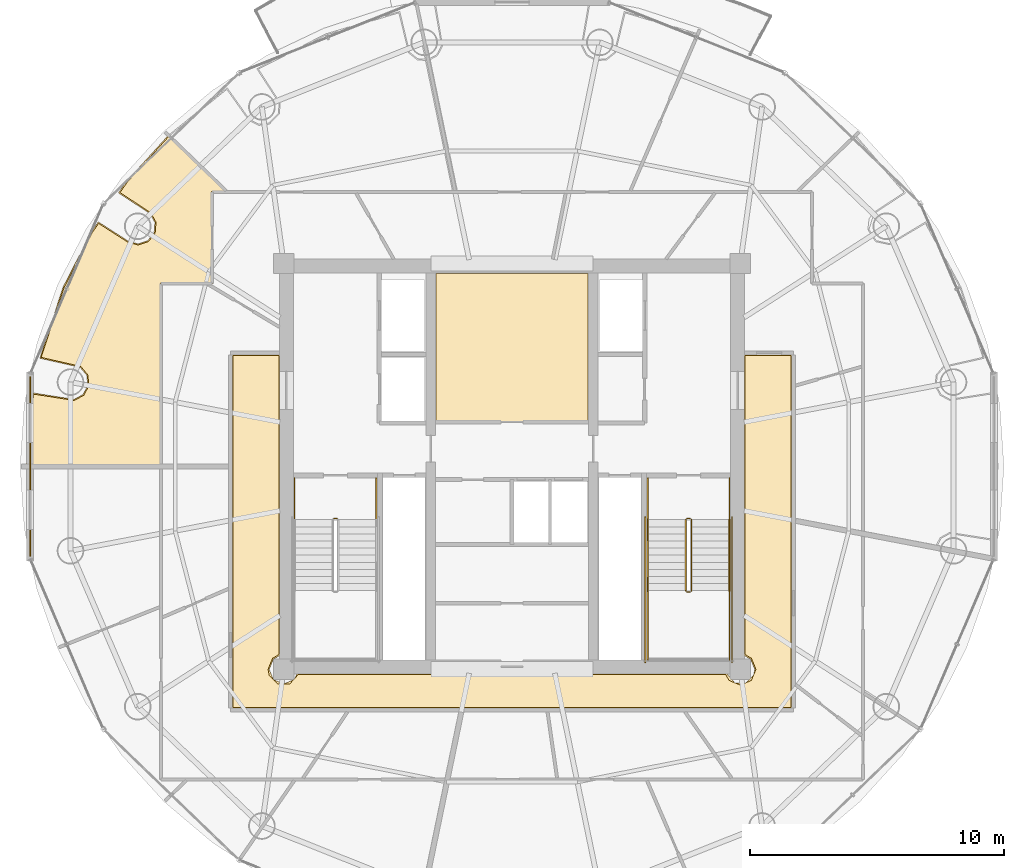
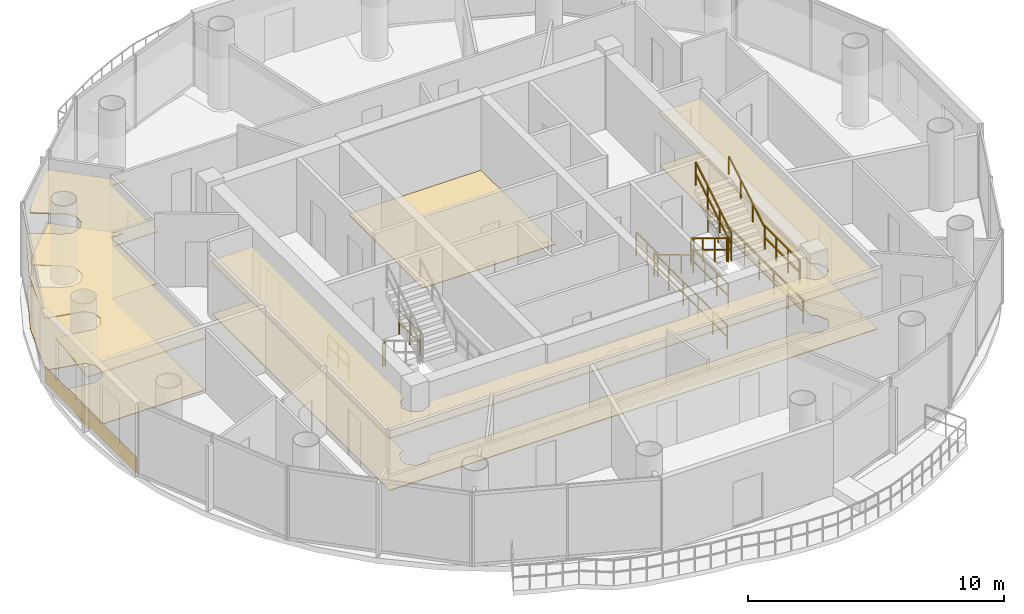
# One storey, part 22 of 23: 15 railings, 6 coverings.
"""IFC4 building model written with IfcOpenShell, lengths in metres."""

from ifc_helpers import new_model, si_unit, direction, frame, origin, origin_2d, place, context, subcontext, project, spatial, polyline, rectangle, outline, extrude, source, transform, mapped, material, layer, layer_set, type_object, element, save


model = new_model("IFC4")

# Units and contexts
model_context = context("Model", 3, precision=1e-05, world=origin(), true_north=direction((-0.2419218956, 0.970295726276)))
body_context = subcontext(model_context, "Body", "Model", "MODEL_VIEW")
ifc_project = project(units=[si_unit("LENGTHUNIT", "METRE"), si_unit("AREAUNIT", "SQUARE_METRE"), si_unit("VOLUMEUNIT", "CUBIC_METRE"), si_unit("PLANEANGLEUNIT", "RADIAN"), si_unit("MASSUNIT", "GRAM", prefix="KILO")], contexts=[model_context])

# Site, building, storey
site_placement = place(None, origin())
site = spatial("IfcSite", under=ifc_project, at=site_placement, CompositionType="ELEMENT")
building_placement = place(site_placement, origin())
building = spatial("IfcBuilding", under=site, at=building_placement, Name="Cobrevalo Terracotta Tower", CompositionType="ELEMENT")
storey_placement = place(building_placement, frame((0.0, 0.0, 259.449951171875)))
storey = spatial("IfcBuildingStorey", under=building, at=storey_placement, Name="L68", CompositionType="ELEMENT", Elevation=259.449951171875)

# Coverings
ifc_material_1 = material(Name="Engineered Brazilian hardwood flooring", Category="wood")
ifc_layer_1 = layer(ifc_material_1, 0.028076171875)
ifc_layer_set_1 = layer_set([ifc_layer_1], Name="Engineered Brazilian hardwood flooring")
covering_type_1 = type_object("IfcCoveringType", Name="Engineered Hardwood Suite Flooring 28", PredefinedType="FLOORING", material=ifc_layer_set_1)
covering_1_placement = place(storey_placement, origin())
element("IfcCovering", 1, at=covering_1_placement, inside=storey, type_object=covering_type_1, Name="Flat L68A Private Cinema Room floor finish", PredefinedType="FLOORING", context=body_context, shape_type="SweptSolid", body=[
    extrude(outline(polyline([(26.72021484375, 37.64501953125), (26.155029296875, 37.64501953125), (26.155029296875, 34.030029296875), (24.14501953125, 34.030029296875), (24.14501953125, 26.820068359375), (18.88134765625, 26.820068359375), (19.1357421875, 29.65087890625), (20.740966796875, 29.401611328125), (21.118408203125, 29.60693359375), (21.318115234375, 29.9873046875), (21.272705078125, 30.41455078125), (20.99755859375, 30.74462890625), (19.43505859375, 31.1005859375), (20.33544921875, 33.848876953125), (21.44140625, 36.009765625), (21.699951171875, 36.382568359375), (22.842529296875, 35.649169921875), (23.255126953125, 35.532470703125), (23.663818359375, 35.664794921875), (23.93017578125, 36.001953125), (23.964599609375, 36.43017578125), (23.7548828125, 36.805419921875), (22.5439453125, 37.599365234375), (22.830810546875, 38.01318359375), (24.47021484375, 39.81396484375), (26.72021484375, 37.64501953125)])), origin(), (0.0, 0.0, 1.0), 0.030029296875),
])
ifc_material_2 = material(Name="Honed terracotta and granite tile", Category="masonry")
ifc_layer_2 = layer(ifc_material_2, 0.034912109375)
ifc_layer_set_2 = layer_set([ifc_layer_2], Name="Honed terracotta and granite tile")
covering_type_2 = type_object("IfcCoveringType", Name="Honed Terracotta & Granite Interior Flooring 35", PredefinedType="FLOORING", material=ifc_layer_set_2)
covering_2_placement = place(storey_placement, origin())
element("IfcCovering", 2, at=covering_2_placement, inside=storey, type_object=covering_type_2, Name="Floor Electrical Switchroom floor finish", PredefinedType="FLOORING", context=body_context, shape_type="SweptSolid", body=[
    extrude(outline(polyline([(35.010009765625, 34.405029296875), (40.989990234375, 34.405029296875), (40.989990234375, 28.580078125), (35.010009765625, 28.580078125), (35.010009765625, 34.405029296875)])), origin(), (0.0, 0.0, 1.0), 0.030029296875),
])
covering_3_placement = place(storey_placement, origin())
element("IfcCovering", 3, at=covering_3_placement, inside=storey, type_object=covering_type_2, Name="L68 Residential Floor Corridor floor finish", PredefinedType="FLOORING", context=body_context, shape_type="SweptSolid", body=[
    extrude(outline(polyline([(26.9951171875, 31.179931640625), (28.804931640625, 31.179931640625), (28.804931640625, 19.381591796875), (28.561279296875, 19.23876953125), (28.379638671875, 18.800048828125), (28.4267578125, 18.5625), (28.7626953125, 18.226806640625), (29.2373046875, 18.226806640625), (29.58154296875, 18.60498046875), (46.41845703125, 18.60498046875), (46.561279296875, 18.361328125), (47.0, 18.1796875), (47.438720703125, 18.361328125), (47.620361328125, 18.800048828125), (47.438720703125, 19.23876953125), (47.195068359375, 19.381591796875), (47.195068359375, 31.179931640625), (49.0048828125, 31.179931640625), (49.0048828125, 17.294921875), (26.9951171875, 17.294921875), (26.9951171875, 31.179931640625)])), origin(), (0.0, 0.0, 1.0), 0.030029296875),
])
ifc_material_3 = material(Name="Acoustic perforated gypsum ceiling", Category="gypsum")
ifc_layer_3 = layer(ifc_material_3, 0.050048828125)
ifc_layer_set_3 = layer_set([ifc_layer_3], Name="Acoustic perforated gypsum ceiling")
covering_type_3 = type_object("IfcCoveringType", Name="Perforated Acoustic Gypsum Ceiling 50", PredefinedType="CEILING", material=ifc_layer_set_3)
covering_4_placement = place(storey_placement, frame((0.0, 0.0, 2.5)))
element("IfcCovering", 4, at=covering_4_placement, inside=storey, type_object=covering_type_3, Name="L68 Residential Floor Corridor acoustic ceiling", PredefinedType="CEILING", context=body_context, shape_type="SweptSolid", body=[
    extrude(outline(polyline([(26.949951171875, 31.22509765625), (28.85009765625, 31.22509765625), (28.85009765625, 19.3447265625), (28.59375, 19.206298828125), (28.425537109375, 18.800048828125), (28.59375, 18.393798828125), (29.0, 18.2255859375), (29.40625, 18.393798828125), (29.544677734375, 18.64990234375), (46.455322265625, 18.64990234375), (46.780029296875, 18.269287109375), (47.219970703125, 18.269287109375), (47.53076171875, 18.580078125), (47.574462890625, 18.800048828125), (47.40625, 19.206298828125), (47.14990234375, 19.3447265625), (47.14990234375, 31.22509765625), (49.050048828125, 31.22509765625), (49.050048828125, 17.25), (26.949951171875, 17.25), (26.949951171875, 31.22509765625)])), origin(), (0.0, 0.0, 1.0), 0.050048828125),
])
covering_5_placement = place(storey_placement, frame((0.0, 0.0, 2.5)))
element("IfcCovering", 5, at=covering_5_placement, inside=storey, type_object=covering_type_3, Name="Flat L68A Private Cinema Room acoustic ceiling", PredefinedType="CEILING", context=body_context, shape_type="SweptSolid", body=[
    extrude(outline(polyline([(26.831787109375, 37.60009765625), (26.199951171875, 37.60009765625), (26.199951171875, 33.985107421875), (24.18994140625, 33.985107421875), (24.18994140625, 26.77490234375), (18.833251953125, 26.77490234375), (19.100830078125, 29.703369140625), (20.731689453125, 29.44580078125), (21.086181640625, 29.638671875), (21.273681640625, 29.995849609375), (21.23095703125, 30.39697265625), (20.97265625, 30.70703125), (19.3818359375, 31.06494140625), (20.2939453125, 33.86669921875), (21.40283203125, 36.032958984375), (21.687744140625, 36.44384765625), (22.864990234375, 35.688232421875), (23.254150390625, 35.57763671875), (23.637939453125, 35.701904296875), (23.88818359375, 36.0185546875), (23.92041015625, 36.420654296875), (23.7236328125, 36.772705078125), (22.48046875, 37.586669921875), (22.795654296875, 38.041259765625), (24.468017578125, 39.87841796875), (26.831787109375, 37.60009765625)])), origin(), (0.0, 0.0, 1.0), 0.050048828125),
])

# Railings
ifc_material_4 = material(Name="Brushed stainless steel", Category="steel")
railing_type_1 = type_object("IfcRailingType", Name="Stainless Steel Stair Handrail 900", PredefinedType="HANDRAIL", material=ifc_material_4)
railing_1_placement = place(storey_placement, frame((43.35498046875, 24.699951171875, 0.17041015625)))
element("IfcRailing", 6, at=railing_1_placement, inside=storey, type_object=railing_type_1, Name="L68 ST-2 stair handrail 1", PredefinedType="HANDRAIL", context=body_context, shape_type="SweptSolid", body=[
    extrude(rectangle(XDim=0.048095703125, YDim=0.048095703125, at=origin_2d()), frame((0.0, 0.0, 0.8759765625), z_axis=(0.0, -0.854169791009, 0.51999420009), x_axis=(1.0, 0.0, 0.0)), (0.0, 0.0, 1.0), 3.278076171875),
    extrude(rectangle(XDim=0.0419921875, YDim=0.0419921875, at=origin_2d()), origin(), (0.0, 0.0, 1.0), 0.851806640625),
    extrude(rectangle(XDim=0.0419921875, YDim=0.0419921875, at=origin_2d()), frame((0.0, -0.933349609375, 0.568115234375)), (0.0, 0.0, 1.0), 0.851806640625),
    extrude(rectangle(XDim=0.0419921875, YDim=0.0419921875, at=origin_2d()), frame((0.0, -1.86669921875, 1.136474609375)), (0.0, 0.0, 1.0), 0.851806640625),
    extrude(rectangle(XDim=0.0419921875, YDim=0.0419921875, at=origin_2d()), frame((0.0, -2.800048828125, 1.70458984375)), (0.0, 0.0, 1.0), 0.851806640625),
])
railing_2_placement = place(storey_placement, frame((46.574951171875, 21.89990234375, 2.04541015625)))
element("IfcRailing", 7, at=railing_2_placement, inside=storey, type_object=railing_type_1, Name="L68 ST-2 stair handrail 2", PredefinedType="HANDRAIL", context=body_context, shape_type="SweptSolid", body=[
    extrude(rectangle(XDim=0.048095703125, YDim=0.048095703125, at=origin_2d()), frame((0.0, 0.0, 0.8759765625), z_axis=(0.0, 0.854169791009, 0.51999420009), x_axis=(-1.0, 0.0, 0.0)), (0.0, 0.0, 1.0), 3.278076171875),
    extrude(rectangle(XDim=0.0419921875, YDim=0.0419921875, at=origin_2d()), origin(), (0.0, 0.0, 1.0), 0.851806640625),
    extrude(rectangle(XDim=0.0419921875, YDim=0.0419921875, at=origin_2d()), frame((0.0, 0.933349609375, 0.568115234375)), (0.0, 0.0, 1.0), 0.851806640625),
    extrude(rectangle(XDim=0.0419921875, YDim=0.0419921875, at=origin_2d()), frame((0.0, 1.86669921875, 1.136474609375)), (0.0, 0.0, 1.0), 0.851806640625),
    extrude(rectangle(XDim=0.0419921875, YDim=0.0419921875, at=origin_2d()), frame((0.0, 2.800048828125, 1.70458984375)), (0.0, 0.0, 1.0), 0.851806640625),
])
ifc_material_5 = material(Name="Painted galvanized steel", Category="steel")
railing_type_2 = type_object("IfcRailingType", Name="Stair Well Guard Balustrade 1150", PredefinedType="GUARDRAIL", material=ifc_material_5)
railing_3_placement = place(storey_placement, frame((30.97509765625, 24.75, 0.0)))
element("IfcRailing", 8, at=railing_3_placement, inside=storey, type_object=railing_type_2, Name="L68 ST-1 stair guard 7", PredefinedType="GUARDRAIL", context=body_context, shape_type="SweptSolid", body=[
    extrude(rectangle(XDim=0.048095703125, YDim=0.048095703125, at=origin_2d()), frame((0.0, 0.0, 1.1259765625), z_axis=(1.0, 0.0, 0.0), x_axis=(0.0, 1.0, 0.0)), (0.0, 0.0, 1.0), 0.119873046875),
    extrude(rectangle(XDim=0.048095703125, YDim=0.048095703125, at=origin_2d()), frame((0.0, 0.0, 0.574951171875), z_axis=(1.0, 0.0, 0.0), x_axis=(0.0, 1.0, 0.0)), (0.0, 0.0, 1.0), 0.119873046875),
    extrude(rectangle(XDim=0.0419921875, YDim=0.0419921875, at=origin_2d()), origin(), (0.0, 0.0, 1.0), 1.101806640625),
    extrude(rectangle(XDim=0.0419921875, YDim=0.0419921875, at=origin_2d()), frame((0.119873046875, 0.0, 0.0)), (0.0, 0.0, 1.0), 1.101806640625),
])
for number, where, name in (
    (9, (29.425048828125, 26.35009765625, 0.0), "L68 ST-1 stair guard 8"),
    (10, (32.64501953125, 26.35009765625, 0.0), "L68 ST-1 stair guard 9"),
):
    element("IfcRailing", number, at=place(storey_placement, frame(where)), inside=storey, type_object=railing_type_2, Name=name, PredefinedType="GUARDRAIL", context=body_context, shape_type="SweptSolid", body=[
        extrude(rectangle(XDim=0.048095703125, YDim=0.048095703125, at=origin_2d()), frame((0.0, 0.0, 1.1259765625), z_axis=(0.0, -1.0, 0.0), x_axis=(1.0, 0.0, 0.0)), (0.0, 0.0, 1.0), 1.650146484375),
        extrude(rectangle(XDim=0.048095703125, YDim=0.048095703125, at=origin_2d()), frame((0.0, 0.0, 0.574951171875), z_axis=(0.0, -1.0, 0.0), x_axis=(1.0, 0.0, 0.0)), (0.0, 0.0, 1.0), 1.650146484375),
        extrude(rectangle(XDim=0.0419921875, YDim=0.0419921875, at=origin_2d()), origin(), (0.0, 0.0, 1.0), 1.101806640625),
        extrude(rectangle(XDim=0.0419921875, YDim=0.0419921875, at=origin_2d()), frame((0.0, -0.8251953125, 0.0)), (0.0, 0.0, 1.0), 1.101806640625),
        extrude(rectangle(XDim=0.0419921875, YDim=0.0419921875, at=origin_2d()), frame((0.0, -1.650146484375, 0.0)), (0.0, 0.0, 1.0), 1.101806640625),
    ])
railing_4_placement = place(storey_placement, frame((44.85498046875, 24.699951171875, 0.17041015625)))
element("IfcRailing", 11, at=railing_4_placement, inside=storey, type_object=railing_type_2, Name="L68 ST-2 stair guard 1", PredefinedType="GUARDRAIL", context=body_context, shape_type="SweptSolid", body=[
    extrude(rectangle(XDim=0.048095703125, YDim=0.048095703125, at=origin_2d()), frame((0.0, 0.0, 1.1259765625), z_axis=(0.0, -0.854169791009, 0.51999420009), x_axis=(1.0, 0.0, 0.0)), (0.0, 0.0, 1.0), 3.278076171875),
    extrude(rectangle(XDim=0.048095703125, YDim=0.048095703125, at=origin_2d()), frame((0.0, 0.0, 0.574951171875), z_axis=(0.0, -0.854169791009, 0.51999420009), x_axis=(1.0, 0.0, 0.0)), (0.0, 0.0, 1.0), 3.278076171875),
    extrude(rectangle(XDim=0.0419921875, YDim=0.0419921875, at=origin_2d()), origin(), (0.0, 0.0, 1.0), 1.101806640625),
    extrude(rectangle(XDim=0.0419921875, YDim=0.0419921875, at=origin_2d()), frame((0.0, -0.933349609375, 0.568115234375)), (0.0, 0.0, 1.0), 1.101806640625),
    extrude(rectangle(XDim=0.0419921875, YDim=0.0419921875, at=origin_2d()), frame((0.0, -1.86669921875, 1.136474609375)), (0.0, 0.0, 1.0), 1.101806640625),
    extrude(rectangle(XDim=0.0419921875, YDim=0.0419921875, at=origin_2d()), frame((0.0, -2.800048828125, 1.70458984375)), (0.0, 0.0, 1.0), 1.101806640625),
])
railing_5_placement = place(storey_placement, frame((44.905029296875, 21.85009765625, 1.875)))
element("IfcRailing", 12, at=railing_5_placement, inside=storey, type_object=railing_type_2, Name="L68 ST-2 stair guard 2", PredefinedType="GUARDRAIL", context=body_context, shape_type="SweptSolid", body=[
    extrude(rectangle(XDim=0.048095703125, YDim=0.048095703125, at=origin_2d()), frame((0.0, 0.0, 1.1259765625), z_axis=(1.0, 0.0, 0.0), x_axis=(0.0, 1.0, 0.0)), (0.0, 0.0, 1.0), 0.119873046875),
    extrude(rectangle(XDim=0.048095703125, YDim=0.048095703125, at=origin_2d()), frame((0.0, 0.0, 0.574951171875), z_axis=(1.0, 0.0, 0.0), x_axis=(0.0, 1.0, 0.0)), (0.0, 0.0, 1.0), 0.119873046875),
    extrude(rectangle(XDim=0.0419921875, YDim=0.0419921875, at=origin_2d()), origin(), (0.0, 0.0, 1.0), 1.101806640625),
    extrude(rectangle(XDim=0.0419921875, YDim=0.0419921875, at=origin_2d()), frame((0.119873046875, 0.0, 0.0)), (0.0, 0.0, 1.0), 1.101806640625),
])
for number, where, name in (
    (13, (43.35498046875, 21.89990234375, 1.875), "L68 ST-2 stair guard 3"),
    (14, (46.574951171875, 21.89990234375, 1.875), "L68 ST-2 stair guard 4"),
):
    element("IfcRailing", number, at=place(storey_placement, frame(where)), inside=storey, type_object=railing_type_2, Name=name, PredefinedType="GUARDRAIL", context=body_context, shape_type="SweptSolid", body=[
        extrude(rectangle(XDim=0.048095703125, YDim=0.048095703125, at=origin_2d()), frame((0.0, 0.0, 1.1259765625), z_axis=(0.0, -1.0, 0.0), x_axis=(1.0, 0.0, 0.0)), (0.0, 0.0, 1.0), 2.724853515625),
        extrude(rectangle(XDim=0.048095703125, YDim=0.048095703125, at=origin_2d()), frame((0.0, 0.0, 0.574951171875), z_axis=(0.0, -1.0, 0.0), x_axis=(1.0, 0.0, 0.0)), (0.0, 0.0, 1.0), 2.724853515625),
        extrude(rectangle(XDim=0.0419921875, YDim=0.0419921875, at=origin_2d()), origin(), (0.0, 0.0, 1.0), 1.101806640625),
        extrude(rectangle(XDim=0.0419921875, YDim=0.0419921875, at=origin_2d()), frame((0.0, -0.908203125, 0.0)), (0.0, 0.0, 1.0), 1.101806640625),
        extrude(rectangle(XDim=0.0419921875, YDim=0.0419921875, at=origin_2d()), frame((0.0, -1.816650390625, 0.0)), (0.0, 0.0, 1.0), 1.101806640625),
        extrude(rectangle(XDim=0.0419921875, YDim=0.0419921875, at=origin_2d()), frame((0.0, -2.724853515625, 0.0)), (0.0, 0.0, 1.0), 1.101806640625),
    ])
railing_6_placement = place(storey_placement, frame((45.074951171875, 21.89990234375, 2.04541015625)))
element("IfcRailing", 15, at=railing_6_placement, inside=storey, type_object=railing_type_2, Name="L68 ST-2 stair guard 6", PredefinedType="GUARDRAIL", context=body_context, shape_type="SweptSolid", body=[
    extrude(rectangle(XDim=0.048095703125, YDim=0.048095703125, at=origin_2d()), frame((0.0, 0.0, 1.1259765625), z_axis=(0.0, 0.854169791009, 0.51999420009), x_axis=(-1.0, 0.0, 0.0)), (0.0, 0.0, 1.0), 3.278076171875),
    extrude(rectangle(XDim=0.048095703125, YDim=0.048095703125, at=origin_2d()), frame((0.0, 0.0, 0.574951171875), z_axis=(0.0, 0.854169791009, 0.51999420009), x_axis=(-1.0, 0.0, 0.0)), (0.0, 0.0, 1.0), 3.278076171875),
    extrude(rectangle(XDim=0.0419921875, YDim=0.0419921875, at=origin_2d()), origin(), (0.0, 0.0, 1.0), 1.101806640625),
    extrude(rectangle(XDim=0.0419921875, YDim=0.0419921875, at=origin_2d()), frame((0.0, 0.933349609375, 0.568115234375)), (0.0, 0.0, 1.0), 1.101806640625),
    extrude(rectangle(XDim=0.0419921875, YDim=0.0419921875, at=origin_2d()), frame((0.0, 1.86669921875, 1.136474609375)), (0.0, 0.0, 1.0), 1.101806640625),
    extrude(rectangle(XDim=0.0419921875, YDim=0.0419921875, at=origin_2d()), frame((0.0, 2.800048828125, 1.70458984375)), (0.0, 0.0, 1.0), 1.101806640625),
])
railing_7_placement = place(storey_placement, frame((44.905029296875, 24.75, 0.0)))
element("IfcRailing", 16, at=railing_7_placement, inside=storey, type_object=railing_type_2, Name="L68 ST-2 stair guard 7", PredefinedType="GUARDRAIL", context=body_context, shape_type="SweptSolid", body=[
    extrude(rectangle(XDim=0.048095703125, YDim=0.048095703125, at=origin_2d()), frame((0.0, 0.0, 1.1259765625), z_axis=(1.0, 0.0, 0.0), x_axis=(0.0, 1.0, 0.0)), (0.0, 0.0, 1.0), 0.119873046875),
    extrude(rectangle(XDim=0.048095703125, YDim=0.048095703125, at=origin_2d()), frame((0.0, 0.0, 0.574951171875), z_axis=(1.0, 0.0, 0.0), x_axis=(0.0, 1.0, 0.0)), (0.0, 0.0, 1.0), 0.119873046875),
    extrude(rectangle(XDim=0.0419921875, YDim=0.0419921875, at=origin_2d()), origin(), (0.0, 0.0, 1.0), 1.101806640625),
    extrude(rectangle(XDim=0.0419921875, YDim=0.0419921875, at=origin_2d()), frame((0.119873046875, 0.0, 0.0)), (0.0, 0.0, 1.0), 1.101806640625),
])
for number, where, name in (
    (17, (43.35498046875, 26.35009765625, 0.0), "L68 ST-2 stair guard 8"),
    (18, (46.574951171875, 26.35009765625, 0.0), "L68 ST-2 stair guard 9"),
):
    element("IfcRailing", number, at=place(storey_placement, frame(where)), inside=storey, type_object=railing_type_2, Name=name, PredefinedType="GUARDRAIL", context=body_context, shape_type="SweptSolid", body=[
        extrude(rectangle(XDim=0.048095703125, YDim=0.048095703125, at=origin_2d()), frame((0.0, 0.0, 1.1259765625), z_axis=(0.0, -1.0, 0.0), x_axis=(1.0, 0.0, 0.0)), (0.0, 0.0, 1.0), 1.650146484375),
        extrude(rectangle(XDim=0.048095703125, YDim=0.048095703125, at=origin_2d()), frame((0.0, 0.0, 0.574951171875), z_axis=(0.0, -1.0, 0.0), x_axis=(1.0, 0.0, 0.0)), (0.0, 0.0, 1.0), 1.650146484375),
        extrude(rectangle(XDim=0.0419921875, YDim=0.0419921875, at=origin_2d()), origin(), (0.0, 0.0, 1.0), 1.101806640625),
        extrude(rectangle(XDim=0.0419921875, YDim=0.0419921875, at=origin_2d()), frame((0.0, -0.8251953125, 0.0)), (0.0, 0.0, 1.0), 1.101806640625),
        extrude(rectangle(XDim=0.0419921875, YDim=0.0419921875, at=origin_2d()), frame((0.0, -1.650146484375, 0.0)), (0.0, 0.0, 1.0), 1.101806640625),
    ])
for number, where, name in (
    (19, (43.2548828125, 24.800048828125, 0.0), "L68 ST-2 stair guard 10"),
    (20, (46.675048828125, 24.800048828125, 0.0), "L68 ST-2 stair guard 11"),
):
    element("IfcRailing", number, at=place(storey_placement, frame(where)), inside=storey, type_object=railing_type_2, Name=name, PredefinedType="GUARDRAIL", context=body_context, shape_type="SweptSolid", body=[
        extrude(rectangle(XDim=0.048095703125, YDim=0.048095703125, at=origin_2d()), frame((0.0, 0.0, 1.1259765625), z_axis=(0.0, -1.0, 0.0), x_axis=(1.0, 0.0, 0.0)), (0.0, 0.0, 1.0), 5.72509765625),
        extrude(rectangle(XDim=0.048095703125, YDim=0.048095703125, at=origin_2d()), frame((0.0, 0.0, 0.574951171875), z_axis=(0.0, -1.0, 0.0), x_axis=(1.0, 0.0, 0.0)), (0.0, 0.0, 1.0), 5.72509765625),
        extrude(rectangle(XDim=0.0419921875, YDim=0.0419921875, at=origin_2d()), origin(), (0.0, 0.0, 1.0), 1.101806640625),
        extrude(rectangle(XDim=0.0419921875, YDim=0.0419921875, at=origin_2d()), frame((0.0, -1.14501953125, 0.0)), (0.0, 0.0, 1.0), 1.101806640625),
        extrude(rectangle(XDim=0.0419921875, YDim=0.0419921875, at=origin_2d()), frame((0.0, -2.2900390625, 0.0)), (0.0, 0.0, 1.0), 1.101806640625),
        extrude(rectangle(XDim=0.0419921875, YDim=0.0419921875, at=origin_2d()), frame((0.0, -3.43505859375, 0.0)), (0.0, 0.0, 1.0), 1.101806640625),
        extrude(rectangle(XDim=0.0419921875, YDim=0.0419921875, at=origin_2d()), frame((0.0, -4.580078125, 0.0)), (0.0, 0.0, 1.0), 1.101806640625),
        extrude(rectangle(XDim=0.0419921875, YDim=0.0419921875, at=origin_2d()), frame((0.0, -5.72509765625, 0.0)), (0.0, 0.0, 1.0), 1.101806640625),
    ])

# Covering
ifc_material_6 = material(Name="Glazed terracotta facade cladding tile", Category="masonry")
ifc_layer_4 = layer(ifc_material_6, 0.044921875)
ifc_layer_set_4 = layer_set([ifc_layer_4], Name="Glazed terracotta facade cladding tile")
covering_type_4 = type_object("IfcCoveringType", Name="Architectural terracotta rainscreen spandrel cladding 45 mm", PredefinedType="CLADDING", material=ifc_layer_set_4)
shared_shape = source(origin(), body_context, "Body", "SweptSolid", [
    extrude(rectangle(XDim=7.084716796875, YDim=0.044921875, at=origin_2d()), origin(), (0.0, 0.0, 1.0), 0.760009765625),
])
covering_6_placement = place(storey_placement, frame((19.002197265625, 26.800048828125, 0.0400390625), z_axis=(0.0, 0.0, 1.0), x_axis=(0.0, -1.0, 0.0)))
element("IfcCovering", 21, at=covering_6_placement, inside=storey, type_object=covering_type_4, Name="L68 terracotta spandrel cladding S08", PredefinedType="CLADDING", context=body_context, shape_type="MappedRepresentation", body=[
    mapped(shared_shape, transform((0.0, 0.0, 0.0), scale=1.0)),
])

save(model, "model.ifc")
